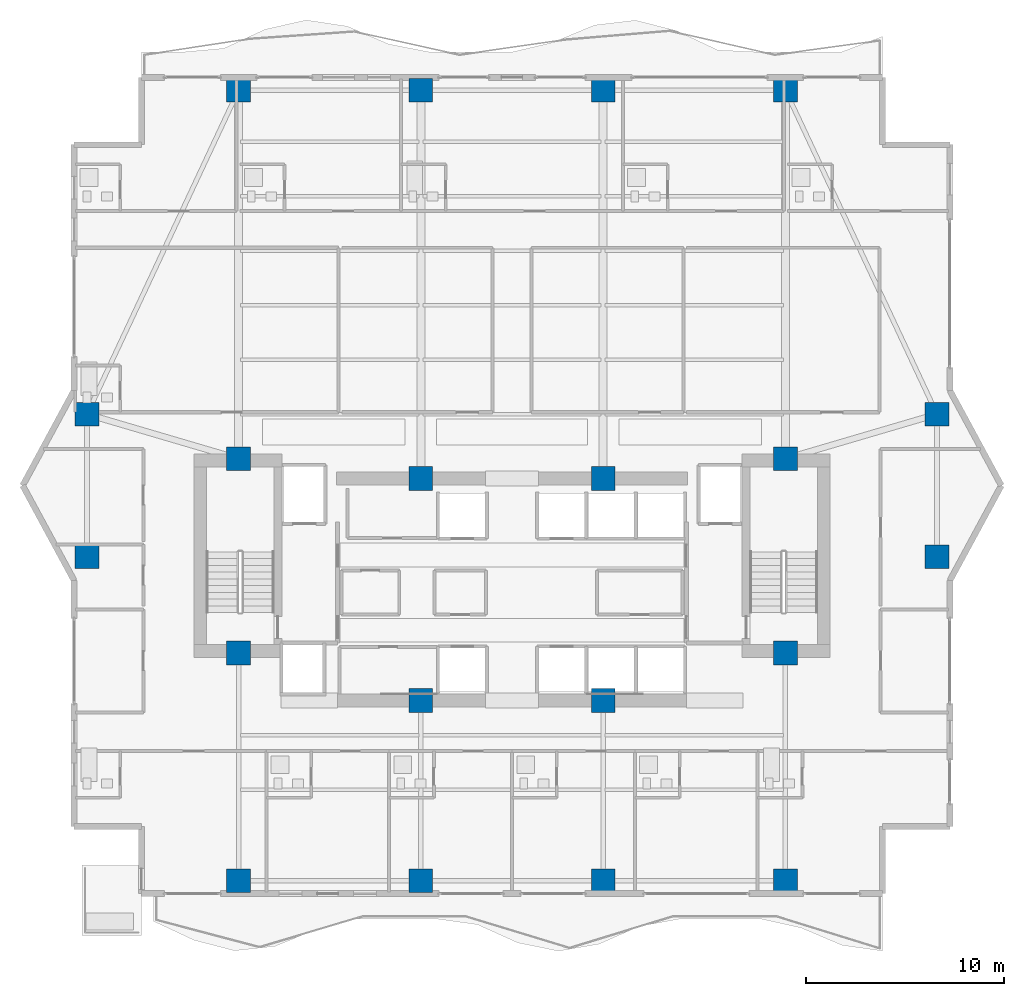
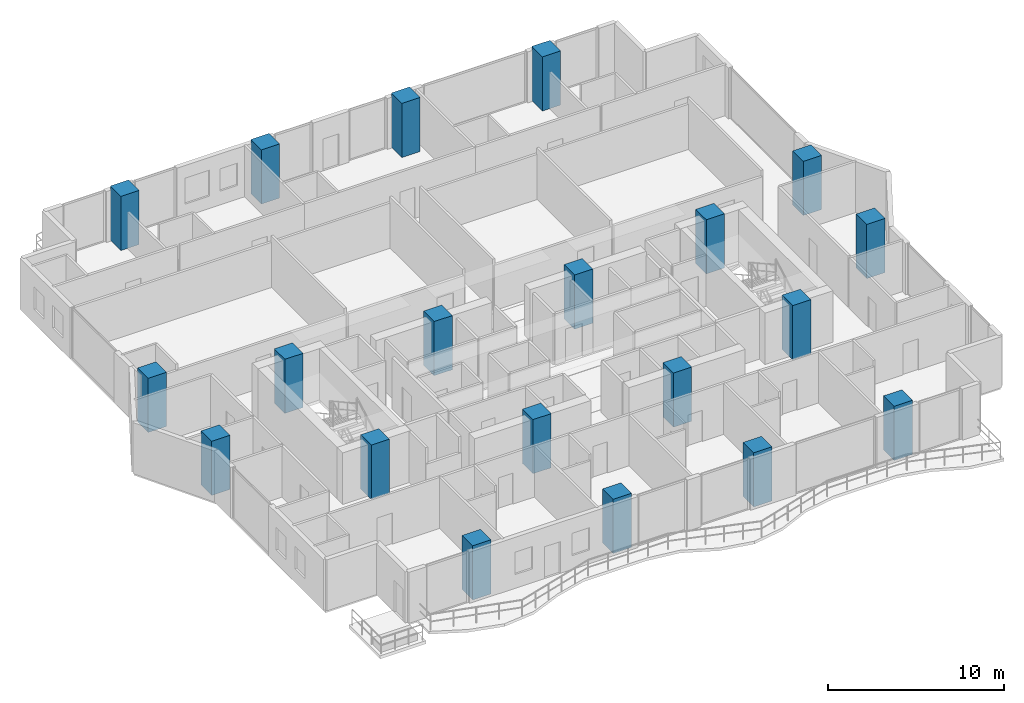
# One storey, part 1 of 32: 20 columns.
"""IFC4 building model written with IfcOpenShell, lengths in metres."""

from ifc_helpers import new_model, si_unit, direction, frame, origin, origin_2d, place, context, subcontext, project, spatial, rectangle, extrude, material, material_profile, profile_set, type_object, element, save


model = new_model("IFC4")

# Units and contexts
model_context = context("Model", 3, precision=1e-05, world=origin(), true_north=direction((0.0, 1.0)))
body_context = subcontext(model_context, "Body", "Model", "MODEL_VIEW")
ifc_project = project(units=[si_unit("LENGTHUNIT", "METRE"), si_unit("AREAUNIT", "SQUARE_METRE"), si_unit("VOLUMEUNIT", "CUBIC_METRE"), si_unit("PLANEANGLEUNIT", "RADIAN"), si_unit("MASSUNIT", "GRAM", prefix="KILO")], contexts=[model_context])

# Site, building, storey
site_placement = place(None, origin())
site = spatial("IfcSite", under=ifc_project, at=site_placement, CompositionType="ELEMENT")
building_placement = place(site_placement, origin())
building = spatial("IfcBuilding", under=site, at=building_placement, Name="Zuhayl Quay Hotel", CompositionType="ELEMENT")
storey_placement = place(building_placement, frame((0.0, 0.0, 196.14990234375)))
storey = spatial("IfcBuildingStorey", under=building, at=storey_placement, Name="L49", CompositionType="ELEMENT", Elevation=196.14990234375)

# Columns
ifc_material = material(Name="Concrete C60/75", Category="concrete")
ifc_material_profile_1 = material_profile(ifc_material, rectangle(XDim=1.199951171875, YDim=1.199951171875, at=origin_2d()), Name="RC1200X1200")
ifc_profile_set_1 = profile_set([ifc_material_profile_1], Name="Concrete C60/75")
column_type_1 = type_object("IfcColumnType", Name="CL_CC2_1200", PredefinedType="COLUMN", material=ifc_profile_set_1)
for number, where, z_axis, x_axis, name in (
    (1, (-13.800048828125, 14.35009765625, 0.0), (0.0, 0.0, 1.0), (1.0, 0.0, 0.0), "L49 Core Column CC_NW"),
    (2, (-4.60009765625, 13.35009765625, 0.0), (0.0, 0.0, 1.0), (1.0, 0.0, 0.0), "L49 Core Column CC_CNW"),
    (3, (4.60009765625, 13.35009765625, 0.0), (0.0, 0.0, 1.0), (1.0, 0.0, 0.0), "L49 Core Column CC_CNE"),
    (4, (13.800048828125, 14.35009765625, 0.0), (0.0, 0.0, 1.0), (1.0, 0.0, 0.0), "L49 Core Column CC_NE"),
    (5, (-13.800048828125, 4.550048828125, 0.0), (0.0, 0.0, 1.0), (1.0, 0.0, 0.0), "L49 Core Column CC_SW"),
    (6, (-4.60009765625, 2.14990234375, 0.0), (0.0, 0.0, 1.0), (1.0, 0.0, 0.0), "L49 Core Column CC_CSW"),
    (7, (4.60009765625, 2.14990234375, 0.0), (0.0, 0.0, 1.0), (1.0, 0.0, 0.0), "L49 Core Column CC_CSE"),
    (8, (13.800048828125, 4.550048828125, 0.0), (0.0, 0.0, 1.0), (1.0, 0.0, 0.0), "L49 Core Column CC_SE"),
):
    element("IfcColumn", number, at=place(storey_placement, frame(where, z_axis=z_axis, x_axis=x_axis)), inside=storey, type_object=column_type_1, Name=name, PredefinedType="COLUMN", context=body_context, shape_type="SweptSolid", body=[
        extrude(rectangle(XDim=1.199951171875, YDim=1.199951171875, at=origin_2d()), origin(), (0.0, 0.0, 1.0), 3.75),
    ])
ifc_material_profile_2 = material_profile(ifc_material, rectangle(XDim=1.199951171875, YDim=1.199951171875, at=origin_2d()), Name="RC1200X1200")
ifc_profile_set_2 = profile_set([ifc_material_profile_2], Name="Concrete C60/75")
column_type_2 = type_object("IfcColumnType", Name="CL_MC3_1200", PredefinedType="COLUMN", material=ifc_profile_set_2)
for number, where, z_axis, x_axis, name in (
    (9, (-13.800048828125, -6.949951171875, 0.0), (0.0, 0.0, 1.0), (1.0, 0.0, 0.0), "L49 Mega-Column MC_S1"),
    (10, (-4.60009765625, -6.949951171875, 0.0), (0.0, 0.0, 1.0), (1.0, 0.0, 0.0), "L49 Mega-Column MC_S2"),
    (11, (4.60009765625, -6.949951171875, 0.0), (0.0, 0.0, 1.0), (1.0, 0.0, 0.0), "L49 Mega-Column MC_S3"),
    (12, (13.800048828125, -6.949951171875, 0.0), (0.0, 0.0, 1.0), (1.0, 0.0, 0.0), "L49 Mega-Column MC_S4"),
    (13, (-13.800048828125, 32.949951171875, 0.0), (0.0, 0.0, 1.0), (1.0, 0.0, 0.0), "L49 Mega-Column MC_N1"),
    (14, (-4.60009765625, 32.949951171875, 0.0), (0.0, 0.0, 1.0), (1.0, 0.0, 0.0), "L49 Mega-Column MC_N2"),
    (15, (4.60009765625, 32.949951171875, 0.0), (0.0, 0.0, 1.0), (1.0, 0.0, 0.0), "L49 Mega-Column MC_N3"),
    (16, (13.800048828125, 32.949951171875, 0.0), (0.0, 0.0, 1.0), (1.0, 0.0, 0.0), "L49 Mega-Column MC_N4"),
    (17, (-21.449951171875, 9.39990234375, 0.0), (0.0, 0.0, 1.0), (1.0, 0.0, 0.0), "L49 Mega-Column MC_W1"),
    (18, (-21.449951171875, 16.60009765625, 0.0), (0.0, 0.0, 1.0), (1.0, 0.0, 0.0), "L49 Mega-Column MC_W2"),
    (19, (21.449951171875, 9.39990234375, 0.0), (0.0, 0.0, 1.0), (1.0, 0.0, 0.0), "L49 Mega-Column MC_E1"),
    (20, (21.449951171875, 16.60009765625, 0.0), (0.0, 0.0, 1.0), (1.0, 0.0, 0.0), "L49 Mega-Column MC_E2"),
):
    element("IfcColumn", number, at=place(storey_placement, frame(where, z_axis=z_axis, x_axis=x_axis)), inside=storey, type_object=column_type_2, Name=name, PredefinedType="COLUMN", context=body_context, shape_type="SweptSolid", body=[
        extrude(rectangle(XDim=1.199951171875, YDim=1.199951171875, at=origin_2d()), origin(), (0.0, 0.0, 1.0), 3.75),
    ])

save(model, "model.ifc")
